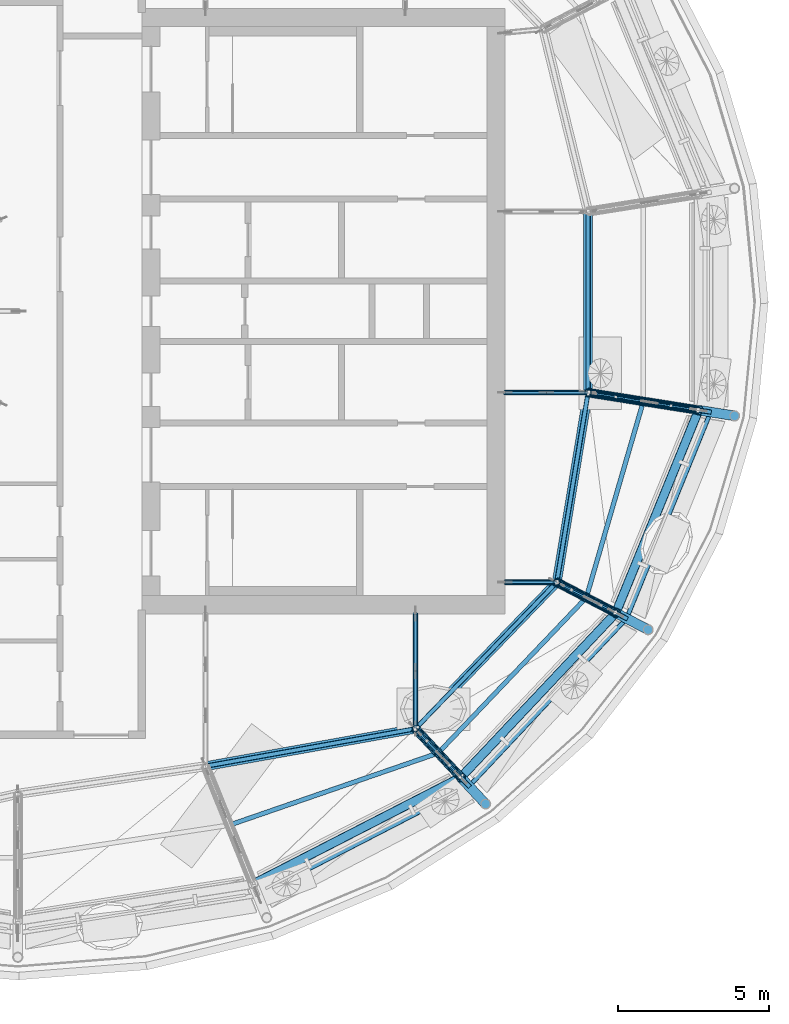
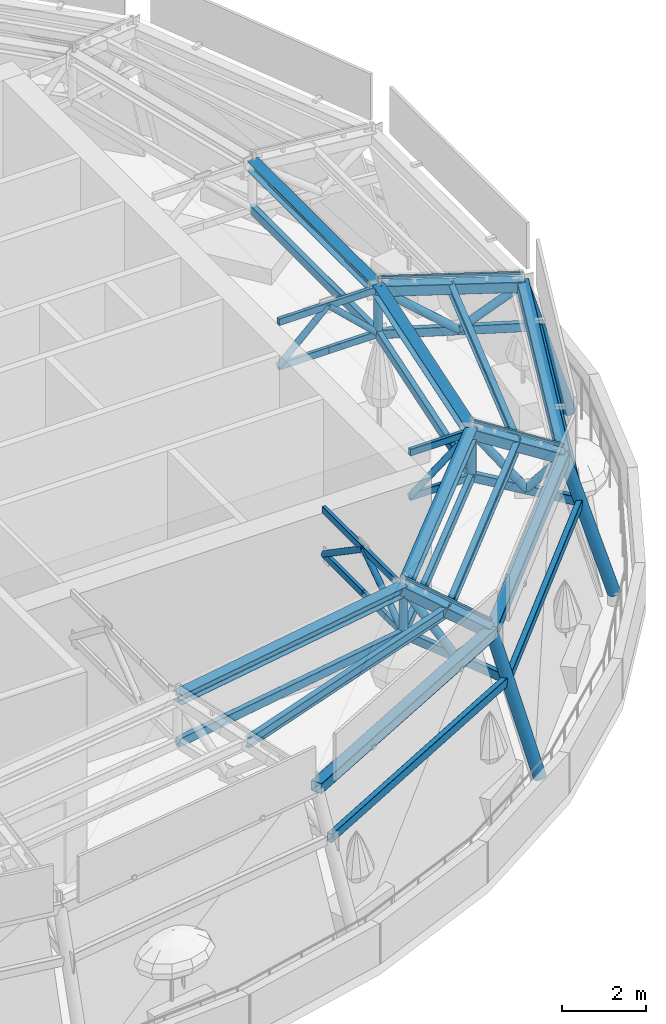
# One storey, part 10 of 40: 45 members, 14 beams, 1 element without a shape of its own.
"""IFC4 building model written with IfcOpenShell, lengths in metres."""

from ifc_helpers import new_model, si_unit, direction, frame, origin, origin_2d, place, context, subcontext, project, spatial, rectangle, hollow_rectangle, hollow_circle, i_section, extrude, material, material_profile, profile_set, type_object, element, aggregate, save


model = new_model("IFC4")

# Units and contexts
model_context = context("Model", 3, precision=1e-05, world=origin(), true_north=direction((0.0, 1.0)))
body_context = subcontext(model_context, "Body", "Model", "MODEL_VIEW")
ifc_project = project(units=[si_unit("LENGTHUNIT", "METRE"), si_unit("AREAUNIT", "SQUARE_METRE"), si_unit("VOLUMEUNIT", "CUBIC_METRE"), si_unit("PLANEANGLEUNIT", "RADIAN"), si_unit("MASSUNIT", "GRAM", prefix="KILO")], contexts=[model_context])

# Site, building, storey
site_placement = place(None, origin())
site = spatial("IfcSite", under=ifc_project, at=site_placement, CompositionType="ELEMENT")
building_placement = place(site_placement, origin())
building = spatial("IfcBuilding", under=site, at=building_placement, Name="Taillehof Tower", CompositionType="ELEMENT")
storey_placement = place(building_placement, frame((0.0, 0.0, 275.199951171875)))
storey = spatial("IfcBuildingStorey", under=building, at=storey_placement, Name="L77", CompositionType="ELEMENT", Elevation=275.199951171875)

# Beams
ifc_material_1 = material(Name="Steel S460M", Category="steel")
ifc_material_profile_1 = material_profile(ifc_material_1, i_section(OverallWidth=0.300048828125, OverallDepth=0.2900390625, WebThickness=0.008544921875, FlangeThickness=0.013916015625, FilletRadius=0.027099609375, at=origin_2d()), Name="HEA 300")
ifc_profile_set_1 = profile_set([ifc_material_profile_1], Name="Steel S460M")
beam_type_1 = type_object("IfcBeamType", Name="Canopy apex ring beam HEA 300", PredefinedType="BEAM", material=ifc_profile_set_1)
beam_1_placement = place(storey_placement, frame((6.1015625, -15.0380859375, 5.10009765625), z_axis=(0.984400807344, 0.17594047431, 0.0), x_axis=(-0.17594047431, 0.984400807344, 0.0)))
element("IfcBeam", 1, at=beam_1_placement, inside=storey, type_object=beam_type_1, Name="Canopy ring beam CR33", PredefinedType="BEAM", context=body_context, shape_type="SweptSolid", body=[
    extrude(i_section(OverallWidth=0.300048828125, OverallDepth=0.2900390625, WebThickness=0.008544921875, FlangeThickness=0.013916015625, FilletRadius=0.027099609375, at=origin_2d()), origin(), (0.0, 0.0, 1.0), 7.049072265625),
])
beam_2_placement = place(storey_placement, frame((13.040771484375, -13.7978515625, 5.10009765625), z_axis=(0.694307507305, 0.719678459661, 0.0), x_axis=(-0.719678459661, 0.694307507305, 0.0)))
element("IfcBeam", 2, at=beam_2_placement, inside=storey, type_object=beam_type_1, Name="Canopy ring beam CR34", PredefinedType="BEAM", context=body_context, shape_type="SweptSolid", body=[
    extrude(i_section(OverallWidth=0.300048828125, OverallDepth=0.2900390625, WebThickness=0.008544921875, FlangeThickness=0.013916015625, FilletRadius=0.027099609375, at=origin_2d()), origin(), (0.0, 0.0, 1.0), 6.726318359375),
])
beam_3_placement = place(storey_placement, frame((17.7109375, -8.95703125, 5.10009765625), z_axis=(0.162852676185, 0.986650396979, 0.0), x_axis=(-0.986650396979, 0.162852676185, 0.0)))
element("IfcBeam", 3, at=beam_3_placement, inside=storey, type_object=beam_type_1, Name="Canopy ring beam CR35", PredefinedType="BEAM", context=body_context, shape_type="SweptSolid", body=[
    extrude(i_section(OverallWidth=0.300048828125, OverallDepth=0.2900390625, WebThickness=0.008544921875, FlangeThickness=0.013916015625, FilletRadius=0.027099609375, at=origin_2d()), origin(), (0.0, 0.0, 1.0), 6.350341796875),
])
beam_4_placement = place(storey_placement, frame((18.7451171875, -2.69140625, 5.10009765625), z_axis=(0.0, 1.0, 0.0), x_axis=(-1.0, 0.0, 0.0)))
element("IfcBeam", 4, at=beam_4_placement, inside=storey, type_object=beam_type_1, Name="Canopy ring beam CR36", PredefinedType="BEAM", context=body_context, shape_type="SweptSolid", body=[
    extrude(i_section(OverallWidth=0.300048828125, OverallDepth=0.2900390625, WebThickness=0.008544921875, FlangeThickness=0.013916015625, FilletRadius=0.027099609375, at=origin_2d()), origin(), (0.0, 0.0, 1.0), 5.982666015625),
])

# Curtain wall, members
ifc_material_2 = material(Name="Aluminium glazing bars with clear laminated safety glass", Category="aluminium")
curtain_wall_type = type_object("IfcCurtainWallType", Name="Canopy glazing", PredefinedType="NOTDEFINED", material=ifc_material_2)
curtain_wall_placement = place(storey_placement, origin())
curtain_wall = element("IfcCurtainWall", 5, at=curtain_wall_placement, inside=storey, type_object=curtain_wall_type, Name="Canopy glazing 6", PredefinedType="NOTDEFINED")
ifc_material_3 = material(Name="Aluminium glazing bar", Category="aluminium")
ifc_material_profile_2 = material_profile(ifc_material_3, rectangle(XDim=0.06005859375, YDim=0.070068359375, at=origin_2d()), Name="AL 60x70")
ifc_profile_set_2 = profile_set([ifc_material_profile_2], Name="Aluminium glazing bar")
member_type_1 = type_object("IfcMemberType", Name="Canopy glazing bar 60x70", PredefinedType="USERDEFINED", material=ifc_profile_set_2)
member_1_placement = place(storey_placement, frame((14.541015625, -15.406982421875, 4.626220703125), z_axis=(-0.640850424693, 0.687370491329, 0.341807754186), x_axis=(-0.731424249248, -0.681922699147, 0.0)))
member_1 = element("IfcMember", 6, at=member_1_placement, type_object=member_type_1, Name="Canopy glazing bar 16", ObjectType="TRANSOM", PredefinedType="USERDEFINED", context=body_context, shape_type="SweptSolid", body=[
    extrude(rectangle(XDim=0.06005859375, YDim=0.070068359375, at=origin_2d()), origin(), (0.0, 0.0, 1.0), 2.340576171875),
])
member_2_placement = place(storey_placement, frame((19.6630859375, -9.971923828125, 4.626220703125), z_axis=(-0.833842795342, 0.433502313686, 0.341733721903), x_axis=(-0.461272377555, -0.887258583337, 0.0)))
member_2 = element("IfcMember", 7, at=member_2_placement, type_object=member_type_1, Name="Canopy glazing bar 17", ObjectType="TRANSOM", PredefinedType="USERDEFINED", context=body_context, shape_type="SweptSolid", body=[
    extrude(rectangle(XDim=0.06005859375, YDim=0.070068359375, at=origin_2d()), origin(), (0.0, 0.0, 1.0), 2.341064453125),
])
member_3_placement = place(storey_placement, frame((22.39892578125, -3.27099609375, 4.626220703125), z_axis=(-0.965316857347, 0.153253564951, 0.211368658394), x_axis=(-0.156796152949, -0.987630986968, 0.0)))
member_3 = element("IfcMember", 8, at=member_3_placement, type_object=member_type_1, Name="Canopy glazing bar 18", ObjectType="TRANSOM", PredefinedType="USERDEFINED", context=body_context, shape_type="SweptSolid", body=[
    extrude(rectangle(XDim=0.06005859375, YDim=0.070068359375, at=origin_2d()), origin(), (0.0, 0.0, 1.0), 3.78515625),
])
aggregate(curtain_wall, [member_1, member_2, member_3])

# Members
ifc_material_4 = material(Name="Steel S460M", Category="steel")
ifc_material_profile_3 = material_profile(ifc_material_4, hollow_circle(Radius=0.109619140625, WallThickness=0.012451171875, at=origin_2d()), Name="CHS 219.1x12.5")
ifc_profile_set_3 = profile_set([ifc_material_profile_3], Name="Steel S460M")
member_type_2 = type_object("IfcMemberType", Name="Canopy inner ring post CHS 219.1x12.5", PredefinedType="POST", material=ifc_profile_set_3)
for number, where, z_axis, x_axis, name in (
    (9, (13.040771484375, -13.7978515625, 3.800048828125), (0.0, 0.0, 1.0), (1.0, 0.0, 0.0), "Canopy ring post RP16"),
    (10, (17.7109375, -8.95703125, 3.800048828125), (0.0, 0.0, 1.0), (1.0, 0.0, 0.0), "Canopy ring post RP17"),
    (11, (18.7451171875, -2.69140625, 3.800048828125), (0.0, 0.0, 1.0), (1.0, 0.0, 0.0), "Canopy ring post RP18"),
):
    element("IfcMember", number, at=place(storey_placement, frame(where, z_axis=z_axis, x_axis=x_axis)), inside=storey, type_object=member_type_2, Name=name, PredefinedType="POST", context=body_context, shape_type="SweptSolid", body=[
        extrude(hollow_circle(Radius=0.109619140625, WallThickness=0.012451171875, at=origin_2d()), origin(), (0.0, 0.0, 1.0), 1.300048828125),
    ])

# Beams
ifc_material_5 = material(Name="Steel S460M", Category="steel")
ifc_material_profile_4 = material_profile(ifc_material_5, hollow_rectangle(XDim=0.14990234375, YDim=0.25, WallThickness=0.010009765625, InnerFilletRadius=0.010009765625, OuterFilletRadius=0.014892578125, at=origin_2d()), Name="RHS 250x150x10")
ifc_profile_set_4 = profile_set([ifc_material_profile_4], Name="Steel S460M")
beam_type_2 = type_object("IfcBeamType", Name="Canopy lower ring beam RHS 250x150x10", PredefinedType="BEAM", material=ifc_profile_set_4)
beam_5_placement = place(storey_placement, frame((7.82568359375, -19.302734375, 3.0), z_axis=(0.888805934335, 0.458283766995, 0.0), x_axis=(-0.458283766995, 0.888805934335, 0.0)))
element("IfcBeam", 12, at=beam_5_placement, inside=storey, type_object=beam_type_2, Name="Canopy lower ring beam CB15", PredefinedType="BEAM", context=body_context, shape_type="SweptSolid", body=[
    extrude(hollow_rectangle(XDim=0.14990234375, YDim=0.25, WallThickness=0.010009765625, InnerFilletRadius=0.010009765625, OuterFilletRadius=0.014892578125, at=origin_2d()), origin(), (0.0, 0.0, 1.0), 7.862060546875),
])
beam_6_placement = place(storey_placement, frame((14.8134765625, -15.69970703125, 3.0), z_axis=(0.684456805755, 0.729053414405, 0.0), x_axis=(-0.729053414405, 0.684456805755, 0.0)))
element("IfcBeam", 13, at=beam_6_placement, inside=storey, type_object=beam_type_2, Name="Canopy lower ring beam CB16", PredefinedType="BEAM", context=body_context, shape_type="SweptSolid", body=[
    extrude(hollow_rectangle(XDim=0.14990234375, YDim=0.25, WallThickness=0.010009765625, InnerFilletRadius=0.010009765625, OuterFilletRadius=0.014892578125, at=origin_2d()), origin(), (0.0, 0.0, 1.0), 7.60400390625),
])
beam_7_placement = place(storey_placement, frame((20.01806640625, -10.156005859375, 3.0), z_axis=(0.376950452726, 0.926233424246, 0.0), x_axis=(-0.926233424246, 0.376950452726, 0.0)))
element("IfcBeam", 14, at=beam_7_placement, inside=storey, type_object=beam_type_2, Name="Canopy lower ring beam CB17", PredefinedType="BEAM", context=body_context, shape_type="SweptSolid", body=[
    extrude(hollow_rectangle(XDim=0.14990234375, YDim=0.25, WallThickness=0.010009765625, InnerFilletRadius=0.010009765625, OuterFilletRadius=0.014892578125, at=origin_2d()), origin(), (0.0, 0.0, 1.0), 7.365234375),
])
beam_8_placement = place(storey_placement, frame((6.1015625, -15.0380859375, 3.800048828125), z_axis=(0.984400807344, 0.17594047431, 0.0), x_axis=(-0.17594047431, 0.984400807344, 0.0)))
element("IfcBeam", 15, at=beam_8_placement, inside=storey, type_object=beam_type_2, Name="Canopy lower ring beam CB33", PredefinedType="BEAM", context=body_context, shape_type="SweptSolid", body=[
    extrude(hollow_rectangle(XDim=0.14990234375, YDim=0.25, WallThickness=0.010009765625, InnerFilletRadius=0.010009765625, OuterFilletRadius=0.014892578125, at=origin_2d()), origin(), (0.0, 0.0, 1.0), 7.049072265625),
])
beam_9_placement = place(storey_placement, frame((13.040771484375, -13.7978515625, 3.800048828125), z_axis=(0.694307507305, 0.719678459661, 0.0), x_axis=(-0.719678459661, 0.694307507305, 0.0)))
element("IfcBeam", 16, at=beam_9_placement, inside=storey, type_object=beam_type_2, Name="Canopy lower ring beam CB34", PredefinedType="BEAM", context=body_context, shape_type="SweptSolid", body=[
    extrude(hollow_rectangle(XDim=0.14990234375, YDim=0.25, WallThickness=0.010009765625, InnerFilletRadius=0.010009765625, OuterFilletRadius=0.014892578125, at=origin_2d()), origin(), (0.0, 0.0, 1.0), 6.726318359375),
])
beam_10_placement = place(storey_placement, frame((17.7109375, -8.95703125, 3.800048828125), z_axis=(0.162852676185, 0.986650396979, 0.0), x_axis=(-0.986650396979, 0.162852676185, 0.0)))
element("IfcBeam", 17, at=beam_10_placement, inside=storey, type_object=beam_type_2, Name="Canopy lower ring beam CB35", PredefinedType="BEAM", context=body_context, shape_type="SweptSolid", body=[
    extrude(hollow_rectangle(XDim=0.14990234375, YDim=0.25, WallThickness=0.010009765625, InnerFilletRadius=0.010009765625, OuterFilletRadius=0.014892578125, at=origin_2d()), origin(), (0.0, 0.0, 1.0), 6.350341796875),
])
beam_11_placement = place(storey_placement, frame((18.7451171875, -2.69140625, 3.800048828125), z_axis=(0.0, 1.0, 0.0), x_axis=(-1.0, 0.0, 0.0)))
element("IfcBeam", 18, at=beam_11_placement, inside=storey, type_object=beam_type_2, Name="Canopy lower ring beam CB36", PredefinedType="BEAM", context=body_context, shape_type="SweptSolid", body=[
    extrude(hollow_rectangle(XDim=0.14990234375, YDim=0.25, WallThickness=0.010009765625, InnerFilletRadius=0.010009765625, OuterFilletRadius=0.014892578125, at=origin_2d()), origin(), (0.0, 0.0, 1.0), 5.982666015625),
])

# Members
ifc_material_6 = material(Name="Steel S460M", Category="steel")
ifc_material_profile_5 = material_profile(ifc_material_6, i_section(OverallWidth=0.14990234375, OverallDepth=0.300048828125, WebThickness=0.007080078125, FlangeThickness=0.0107421875, FilletRadius=0.014892578125, at=origin_2d()), Name="IPE 300")
ifc_profile_set_5 = profile_set([ifc_material_profile_5], Name="Steel S460M")
member_type_3 = type_object("IfcMemberType", Name="Canopy purlin IPE 300", PredefinedType="PURLIN", material=ifc_profile_set_5)
member_4_placement = place(storey_placement, frame((6.888427734375, -16.985107421875, 4.699951171875), z_axis=(0.945273097857, 0.326280202383, 0.0), x_axis=(-0.326280202383, 0.945273097857, 0.0)))
element("IfcMember", 19, at=member_4_placement, inside=storey, type_object=member_type_3, Name="Canopy purlin CP15", PredefinedType="PURLIN", context=body_context, shape_type="SweptSolid", body=[
    extrude(i_section(OverallWidth=0.14990234375, OverallDepth=0.300048828125, WebThickness=0.007080078125, FlangeThickness=0.0107421875, FilletRadius=0.014892578125, at=origin_2d()), origin(), (0.0, 0.0, 1.0), 7.30224609375),
])
member_5_placement = place(storey_placement, frame((13.791015625, -14.6025390625, 4.699951171875), z_axis=(0.689856146136, 0.723946474291, 0.0), x_axis=(-0.723946474291, 0.689856146136, 0.0)))
element("IfcMember", 20, at=member_5_placement, inside=storey, type_object=member_type_3, Name="Canopy purlin CP16", PredefinedType="PURLIN", context=body_context, shape_type="SweptSolid", body=[
    extrude(i_section(OverallWidth=0.14990234375, OverallDepth=0.300048828125, WebThickness=0.007080078125, FlangeThickness=0.0107421875, FilletRadius=0.014892578125, at=origin_2d()), origin(), (0.0, 0.0, 1.0), 7.09716796875),
])
member_6_placement = place(storey_placement, frame((18.68701171875, -9.464599609375, 4.699951171875), z_axis=(0.279173764711, 0.960240599588, 0.0), x_axis=(-0.960240599588, 0.279173764711, 0.0)))
element("IfcMember", 21, at=member_6_placement, inside=storey, type_object=member_type_3, Name="Canopy purlin CP17", PredefinedType="PURLIN", context=body_context, shape_type="SweptSolid", body=[
    extrude(i_section(OverallWidth=0.14990234375, OverallDepth=0.300048828125, WebThickness=0.007080078125, FlangeThickness=0.0107421875, FilletRadius=0.014892578125, at=origin_2d()), origin(), (0.0, 0.0, 1.0), 6.752197265625),
])
ifc_material_7 = material(Name="Steel S460M", Category="steel")
ifc_material_profile_6 = material_profile(ifc_material_7, hollow_rectangle(XDim=0.300048828125, YDim=0.300048828125, WallThickness=0.012451171875, InnerFilletRadius=0.012451171875, OuterFilletRadius=0.018798828125, at=origin_2d()), Name="RHS 300x300x12.5")
ifc_profile_set_6 = profile_set([ifc_material_profile_6], Name="Steel S460M")
member_type_4 = type_object("IfcMemberType", Name="Canopy rafter RHS 300x300x12.5", PredefinedType="RAFTER", material=ifc_profile_set_6)
member_7_placement = place(storey_placement, frame((14.540771484375, -15.406982421875, 4.300048828125), z_axis=(-0.640873270211, 0.687394995229, 0.341715630405), x_axis=(-0.731424249248, -0.681922699147, 0.0)))
element("IfcMember", 22, at=member_7_placement, inside=storey, type_object=member_type_4, Name="Canopy rafter 16 top chord 1", PredefinedType="RAFTER", context=body_context, shape_type="SweptSolid", body=[
    extrude(hollow_rectangle(XDim=0.300048828125, YDim=0.300048828125, WallThickness=0.012451171875, InnerFilletRadius=0.012451171875, OuterFilletRadius=0.018798828125, at=origin_2d()), origin(), (0.0, 0.0, 1.0), 1.170166015625),
])
for number, where, z_axis, x_axis, name in (
    (23, (13.790771484375, -14.6025390625, 4.699951171875), (-0.640735697169, 0.687456008421, 0.341850848848), (-0.731527448955, -0.681811991259, 0.0), "Canopy rafter 16 top chord 2"),
    (24, (19.6630859375, -9.9716796875, 4.300048828125), (-0.833910205254, 0.433433068164, 0.34165705758), (-0.461185017845, -0.887303994872, 0.0), "Canopy rafter 17 top chord 1"),
):
    element("IfcMember", number, at=place(storey_placement, frame(where, z_axis=z_axis, x_axis=x_axis)), inside=storey, type_object=member_type_4, Name=name, PredefinedType="RAFTER", context=body_context, shape_type="SweptSolid", body=[
        extrude(hollow_rectangle(XDim=0.300048828125, YDim=0.300048828125, WallThickness=0.012451171875, InnerFilletRadius=0.012451171875, OuterFilletRadius=0.018798828125, at=origin_2d()), origin(), (0.0, 0.0, 1.0), 1.17041015625),
    ])
member_8_placement = place(storey_placement, frame((18.68701171875, -9.46435546875, 4.699951171875), z_axis=(-0.833850766145, 0.433402174099, 0.341841272064), x_axis=(-0.461185017845, -0.887303994872, 0.0)))
element("IfcMember", 25, at=member_8_placement, inside=storey, type_object=member_type_4, Name="Canopy rafter 17 top chord 2", PredefinedType="RAFTER", context=body_context, shape_type="SweptSolid", body=[
    extrude(hollow_rectangle(XDim=0.300048828125, YDim=0.300048828125, WallThickness=0.012451171875, InnerFilletRadius=0.012451171875, OuterFilletRadius=0.018798828125, at=origin_2d()), origin(), (0.0, 0.0, 1.0), 1.170654296875),
])
for number, where, z_axis, x_axis, name in (
    (26, (22.3994140625, -3.271240234375, 4.300048828125), (-0.965357877506, 0.15311060938, 0.211284901571), (-0.156646990537, -0.987654656424, 0.0), "Canopy rafter 18 top chord 1"),
    (27, (20.572265625, -2.9814453125, 4.699951171875), (-0.96531248972, 0.153232394146, 0.211403951183), (-0.156775717077, -0.987634231148, 0.0), "Canopy rafter 18 top chord 2"),
):
    element("IfcMember", number, at=place(storey_placement, frame(where, z_axis=z_axis, x_axis=x_axis)), inside=storey, type_object=member_type_4, Name=name, PredefinedType="RAFTER", context=body_context, shape_type="SweptSolid", body=[
        extrude(hollow_rectangle(XDim=0.300048828125, YDim=0.300048828125, WallThickness=0.012451171875, InnerFilletRadius=0.012451171875, OuterFilletRadius=0.018798828125, at=origin_2d()), origin(), (0.0, 0.0, 1.0), 1.892822265625),
    ])
ifc_material_8 = material(Name="Steel S460M", Category="steel")
ifc_material_profile_7 = material_profile(ifc_material_8, hollow_rectangle(XDim=0.14990234375, YDim=0.25, WallThickness=0.010009765625, InnerFilletRadius=0.010009765625, OuterFilletRadius=0.014892578125, at=origin_2d()), Name="RHS 250x150x10")
ifc_profile_set_7 = profile_set([ifc_material_profile_7], Name="Steel S460M")
member_type_5 = type_object("IfcMemberType", Name="Canopy rafter bottom chord RHS 250x150x10", PredefinedType="CHORD", material=ifc_profile_set_7)
for number, where, z_axis, x_axis, name in (
    (28, (14.8134765625, -15.69970703125, 3.0), (-0.651607427188, 0.699176564435, 0.294210626215), (-0.731554733036, -0.68178271654, 0.0), "Canopy rafter 16 bottom chord 1"),
    (29, (13.92724609375, -14.748779296875, 3.400146484375), (-0.651745101044, 0.6991316906, 0.294012248832), (-0.7314610613, -0.681883212729, 0.0), "Canopy rafter 16 bottom chord 2"),
    (30, (20.01806640625, -10.156005859375, 3.0), (-0.848102132604, 0.440654123925, 0.294188231818), (-0.46105705095, -0.88737049521, 0.0), "Canopy rafter 17 bottom chord 1"),
    (31, (18.864501953125, -9.556640625, 3.400146484375), (-0.848079809954, 0.440822013386, 0.294001000784), (-0.461204913003, -0.887293653884, 0.0), "Canopy rafter 17 bottom chord 2"),
):
    element("IfcMember", number, at=place(storey_placement, frame(where, z_axis=z_axis, x_axis=x_axis)), inside=storey, type_object=member_type_5, Name=name, PredefinedType="CHORD", context=body_context, shape_type="SweptSolid", body=[
        extrude(hollow_rectangle(XDim=0.14990234375, YDim=0.25, WallThickness=0.010009765625, InnerFilletRadius=0.010009765625, OuterFilletRadius=0.014892578125, at=origin_2d()), origin(), (0.0, 0.0, 1.0), 1.360107421875),
    ])
for number, where, z_axis, x_axis, name in (
    (32, (22.79443359375, -3.333984375, 3.0), (-0.969348139201, 0.153823966139, 0.1915786326), (-0.156726977954, -0.987641966697, 0.0), "Canopy rafter 18 bottom chord 1"),
    (33, (20.769775390625, -3.0126953125, 3.400146484375), (-0.969369840066, 0.153827409807, 0.191466031355), (-0.156726977954, -0.987641966697, 0.0), "Canopy rafter 18 bottom chord 2"),
):
    element("IfcMember", number, at=place(storey_placement, frame(where, z_axis=z_axis, x_axis=x_axis)), inside=storey, type_object=member_type_5, Name=name, PredefinedType="CHORD", context=body_context, shape_type="SweptSolid", body=[
        extrude(hollow_rectangle(XDim=0.14990234375, YDim=0.25, WallThickness=0.010009765625, InnerFilletRadius=0.010009765625, OuterFilletRadius=0.014892578125, at=origin_2d()), origin(), (0.0, 0.0, 1.0), 2.088623046875),
    ])
ifc_material_9 = material(Name="Steel S460M", Category="steel")
ifc_material_profile_8 = material_profile(ifc_material_9, hollow_circle(Radius=0.109619140625, WallThickness=0.012451171875, at=origin_2d()), Name="CHS 219.1x12.5")
ifc_profile_set_8 = profile_set([ifc_material_profile_8], Name="Steel S460M")
member_type_6 = type_object("IfcMemberType", Name="Canopy rafter diagonal CHS 219.1x12.5", PredefinedType="BRACE", material=ifc_profile_set_8)
member_9_placement = place(storey_placement, frame((14.540771484375, -15.406982421875, 4.300048828125), z_axis=(-0.482110092167, 0.517217989846, -0.707145960895), x_axis=(-0.731497229335, -0.681844412953, 0.0)))
element("IfcMember", 34, at=member_9_placement, inside=storey, type_object=member_type_6, Name="Canopy rafter 16 diagonal 1", PredefinedType="BRACE", context=body_context, shape_type="SweptSolid", body=[
    extrude(hollow_circle(Radius=0.109619140625, WallThickness=0.012451171875, at=origin_2d()), origin(), (0.0, 0.0, 1.0), 1.272705078125),
])
member_10_placement = place(storey_placement, frame((13.92724609375, -14.748779296875, 3.400146484375), z_axis=(-0.414225331692, 0.444342513616, 0.79434067325), x_axis=(-0.7314610613, -0.681883212729, 0.0)))
element("IfcMember", 35, at=member_10_placement, inside=storey, type_object=member_type_6, Name="Canopy rafter 16 diagonal 2", PredefinedType="BRACE", context=body_context, shape_type="SweptSolid", body=[
    extrude(hollow_circle(Radius=0.109619140625, WallThickness=0.012451171875, at=origin_2d()), origin(), (0.0, 0.0, 1.0), 2.14013671875),
])
member_11_placement = place(storey_placement, frame((19.6630859375, -9.9716796875, 4.300048828125), z_axis=(-0.62746207527, 0.326103799437, -0.707069767485), x_axis=(-0.461156277815, -0.887318932195, 0.0)))
element("IfcMember", 36, at=member_11_placement, inside=storey, type_object=member_type_6, Name="Canopy rafter 17 diagonal 1", PredefinedType="BRACE", context=body_context, shape_type="SweptSolid", body=[
    extrude(hollow_circle(Radius=0.109619140625, WallThickness=0.012451171875, at=origin_2d()), origin(), (0.0, 0.0, 1.0), 1.272705078125),
])
member_12_placement = place(storey_placement, frame((18.864501953125, -9.556640625, 3.400146484375), z_axis=(-0.53902077808, 0.28017672613, 0.794328397411), x_axis=(-0.461204913003, -0.887293653884, 0.0)))
element("IfcMember", 37, at=member_12_placement, inside=storey, type_object=member_type_6, Name="Canopy rafter 17 diagonal 2", PredefinedType="BRACE", context=body_context, shape_type="SweptSolid", body=[
    extrude(hollow_circle(Radius=0.109619140625, WallThickness=0.012451171875, at=origin_2d()), origin(), (0.0, 0.0, 1.0), 2.14013671875),
])
member_13_placement = place(storey_placement, frame((22.3994140625, -3.271240234375, 4.300048828125), z_axis=(-0.867075433284, 0.137562978854, -0.478807497691), x_axis=(-0.156691944488, -0.987647525453, 0.0)))
element("IfcMember", 38, at=member_13_placement, inside=storey, type_object=member_type_6, Name="Canopy rafter 18 diagonal 1", PredefinedType="BRACE", context=body_context, shape_type="SweptSolid", body=[
    extrude(hollow_circle(Radius=0.109619140625, WallThickness=0.012451171875, at=origin_2d()), origin(), (0.0, 0.0, 1.0), 1.87939453125),
])
member_14_placement = place(storey_placement, frame((20.769775390625, -3.0126953125, 3.400146484375), z_axis=(-0.760252965748, 0.120643060765, 0.638326468166), x_axis=(-0.156726977954, -0.987641966697, 0.0)))
element("IfcMember", 39, at=member_14_placement, inside=storey, type_object=member_type_6, Name="Canopy rafter 18 diagonal 2", PredefinedType="BRACE", context=body_context, shape_type="SweptSolid", body=[
    extrude(hollow_circle(Radius=0.109619140625, WallThickness=0.012451171875, at=origin_2d()), origin(), (0.0, 0.0, 1.0), 2.6630859375),
])
ifc_material_10 = material(Name="Steel S460M", Category="steel")
ifc_material_profile_9 = material_profile(ifc_material_10, hollow_circle(Radius=0.161865234375, WallThickness=0.01611328125, at=origin_2d()), Name="CHS 323.9x16")
ifc_profile_set_9 = profile_set([ifc_material_profile_9], Name="Steel S460M")
member_type_7 = type_object("IfcMemberType", Name="Canopy raking column CHS 323.9x16", PredefinedType="POST", material=ifc_profile_set_9)
member_15_placement = place(storey_placement, frame((15.359130859375, -16.284912109375, 0.300048828125), z_axis=(-0.195958874927, 0.210223184439, 0.95781330752), x_axis=(-0.731488046885, -0.681854263948, 0.0)))
element("IfcMember", 40, at=member_15_placement, inside=storey, type_object=member_type_7, Name="Canopy raking column CC16", PredefinedType="POST", context=body_context, shape_type="SweptSolid", body=[
    extrude(hollow_circle(Radius=0.161865234375, WallThickness=0.01611328125, at=origin_2d()), origin(), (0.0, 0.0, 1.0), 4.17626953125),
])
member_16_placement = place(storey_placement, frame((20.72802734375, -10.52490234375, 0.300048828125), z_axis=(-0.255006080886, 0.132472209832, 0.957822014955), x_axis=(-0.460993989424, -0.887403257665, 0.0)))
element("IfcMember", 41, at=member_16_placement, inside=storey, type_object=member_type_7, Name="Canopy raking column CC17", PredefinedType="POST", context=body_context, shape_type="SweptSolid", body=[
    extrude(hollow_circle(Radius=0.161865234375, WallThickness=0.01611328125, at=origin_2d()), origin(), (0.0, 0.0, 1.0), 4.176025390625),
])
member_17_placement = place(storey_placement, frame((23.584716796875, -3.45947265625, 0.300048828125), z_axis=(-0.2838254853, 0.045073007037, 0.957816014656), x_axis=(-0.156839984557, -0.987624027272, 0.0)))
element("IfcMember", 42, at=member_17_placement, inside=storey, type_object=member_type_7, Name="Canopy raking column CC18", PredefinedType="POST", context=body_context, shape_type="SweptSolid", body=[
    extrude(hollow_circle(Radius=0.161865234375, WallThickness=0.01611328125, at=origin_2d()), origin(), (0.0, 0.0, 1.0), 4.17626953125),
])

# Beams
ifc_material_11 = material(Name="Steel S460M", Category="steel")
ifc_material_profile_10 = material_profile(ifc_material_11, hollow_rectangle(XDim=0.300048828125, YDim=0.300048828125, WallThickness=0.012451171875, InnerFilletRadius=0.012451171875, OuterFilletRadius=0.018798828125, at=origin_2d()), Name="RHS 300x300x12.5")
ifc_profile_set_10 = profile_set([ifc_material_profile_10], Name="Steel S460M")
beam_type_3 = type_object("IfcBeamType", Name="Canopy ring beam RHS 300x300x12.5", PredefinedType="BEAM", material=ifc_profile_set_10)
beam_12_placement = place(storey_placement, frame((7.67578125, -18.931884765625, 4.300048828125), z_axis=(0.889586127261, 0.456767470585, 0.0), x_axis=(-0.456767470585, 0.889586127261, 0.0)))
element("IfcBeam", 43, at=beam_12_placement, inside=storey, type_object=beam_type_3, Name="Canopy ring beam CR15", PredefinedType="BEAM", context=body_context, shape_type="SweptSolid", body=[
    extrude(hollow_rectangle(XDim=0.300048828125, YDim=0.300048828125, WallThickness=0.012451171875, InnerFilletRadius=0.012451171875, OuterFilletRadius=0.018798828125, at=origin_2d()), origin(), (0.0, 0.0, 1.0), 7.717041015625),
])
beam_13_placement = place(storey_placement, frame((14.540771484375, -15.406982421875, 4.300048828125), z_axis=(0.685842766709, 0.7277497505, 0.0), x_axis=(-0.7277497505, 0.685842766709, 0.0)))
element("IfcBeam", 44, at=beam_13_placement, inside=storey, type_object=beam_type_3, Name="Canopy ring beam CR16", PredefinedType="BEAM", context=body_context, shape_type="SweptSolid", body=[
    extrude(hollow_rectangle(XDim=0.300048828125, YDim=0.300048828125, WallThickness=0.012451171875, InnerFilletRadius=0.012451171875, OuterFilletRadius=0.018798828125, at=origin_2d()), origin(), (0.0, 0.0, 1.0), 7.46875),
])
beam_14_placement = place(storey_placement, frame((19.6630859375, -9.9716796875, 4.300048828125), z_axis=(0.378069300339, 0.92577729727, 0.0), x_axis=(-0.92577729727, 0.378069300339, 0.0)))
element("IfcBeam", 45, at=beam_14_placement, inside=storey, type_object=beam_type_3, Name="Canopy ring beam CR17", PredefinedType="BEAM", context=body_context, shape_type="SweptSolid", body=[
    extrude(hollow_rectangle(XDim=0.300048828125, YDim=0.300048828125, WallThickness=0.012451171875, InnerFilletRadius=0.012451171875, OuterFilletRadius=0.018798828125, at=origin_2d()), origin(), (0.0, 0.0, 1.0), 7.237548828125),
])

# Members
ifc_material_12 = material(Name="Steel S460M", Category="steel")
ifc_material_profile_11 = material_profile(ifc_material_12, hollow_rectangle(XDim=0.10009765625, YDim=0.199951171875, WallThickness=0.008056640625, InnerFilletRadius=0.008056640625, OuterFilletRadius=0.011962890625, at=origin_2d()), Name="RHS 200x100x8")
ifc_profile_set_11 = profile_set([ifc_material_profile_11], Name="Steel S460M")
member_type_8 = type_object("IfcMemberType", Name="Canopy spur chord RHS 200x100x8", PredefinedType="CHORD", material=ifc_profile_set_11)
for number, where, z_axis, x_axis, name in (
    (46, (13.040771484375, -13.7978515625, 5.10009765625), (0.0, 1.0, 0.0), (-1.0, 0.0, 0.0), "Canopy rafter S16 top chord 1"),
    (47, (13.040771484375, -13.7978515625, 3.800048828125), (0.0, 1.0, 0.0), (-1.0, 0.0, 0.0), "Canopy rafter S16 bottom chord 1"),
    (48, (13.040771484375, -11.89892578125, 5.10009765625), (0.0, 1.0, 0.0), (-1.0, 0.0, 0.0), "Canopy rafter S16 top chord 2"),
    (49, (13.040771484375, -11.89892578125, 3.800048828125), (0.0, 1.0, 0.0), (-1.0, 0.0, 0.0), "Canopy rafter S16 bottom chord 2"),
):
    element("IfcMember", number, at=place(storey_placement, frame(where, z_axis=z_axis, x_axis=x_axis)), inside=storey, type_object=member_type_8, Name=name, PredefinedType="CHORD", context=body_context, shape_type="SweptSolid", body=[
        extrude(hollow_rectangle(XDim=0.10009765625, YDim=0.199951171875, WallThickness=0.008056640625, InnerFilletRadius=0.008056640625, OuterFilletRadius=0.011962890625, at=origin_2d()), origin(), (0.0, 0.0, 1.0), 1.89892578125),
    ])
for number, where, z_axis, x_axis, name in (
    (50, (17.7109375, -8.95703125, 5.10009765625), (-1.0, 0.0, 0.0), (0.0, -1.0, 0.0), "Canopy rafter S17 top chord 1"),
    (51, (17.7109375, -8.95703125, 3.800048828125), (-1.0, 0.0, 0.0), (0.0, -1.0, 0.0), "Canopy rafter S17 bottom chord 1"),
):
    element("IfcMember", number, at=place(storey_placement, frame(where, z_axis=z_axis, x_axis=x_axis)), inside=storey, type_object=member_type_8, Name=name, PredefinedType="CHORD", context=body_context, shape_type="SweptSolid", body=[
        extrude(hollow_rectangle(XDim=0.10009765625, YDim=0.199951171875, WallThickness=0.008056640625, InnerFilletRadius=0.008056640625, OuterFilletRadius=0.011962890625, at=origin_2d()), origin(), (0.0, 0.0, 1.0), 1.7109375),
    ])
for number, where, z_axis, x_axis, name in (
    (52, (18.7451171875, -2.69140625, 5.10009765625), (-1.0, 0.0, 0.0), (0.0, -1.0, 0.0), "Canopy rafter S18 top chord 1"),
    (53, (18.7451171875, -2.69140625, 3.800048828125), (-1.0, 0.0, 0.0), (0.0, -1.0, 0.0), "Canopy rafter S18 bottom chord 1"),
    (54, (17.37255859375, -2.69140625, 5.10009765625), (-1.0, 0.0, 0.0), (0.0, -1.0, 0.0), "Canopy rafter S18 top chord 2"),
    (55, (17.37255859375, -2.69140625, 3.800048828125), (-1.0, 0.0, 0.0), (0.0, -1.0, 0.0), "Canopy rafter S18 bottom chord 2"),
):
    element("IfcMember", number, at=place(storey_placement, frame(where, z_axis=z_axis, x_axis=x_axis)), inside=storey, type_object=member_type_8, Name=name, PredefinedType="CHORD", context=body_context, shape_type="SweptSolid", body=[
        extrude(hollow_rectangle(XDim=0.10009765625, YDim=0.199951171875, WallThickness=0.008056640625, InnerFilletRadius=0.008056640625, OuterFilletRadius=0.011962890625, at=origin_2d()), origin(), (0.0, 0.0, 1.0), 1.37255859375),
    ])
ifc_material_13 = material(Name="Steel S460M", Category="steel")
ifc_material_profile_12 = material_profile(ifc_material_13, hollow_circle(Radius=0.084228515625, WallThickness=0.008056640625, at=origin_2d()), Name="CHS 168.3x8")
ifc_profile_set_12 = profile_set([ifc_material_profile_12], Name="Steel S460M")
member_type_9 = type_object("IfcMemberType", Name="Canopy spur diagonal CHS 168.3x8", PredefinedType="BRACE", material=ifc_profile_set_12)
for number, where, z_axis, x_axis, name in (
    (56, (13.040771484375, -13.7978515625, 3.800048828125), (0.0, 0.825148497739, 0.564915884605), (-1.0, 0.0, 0.0), "Canopy rafter S16 diagonal 1"),
    (57, (13.040771484375, -11.89892578125, 5.10009765625), (0.0, 0.825148497739, -0.564915884605), (-1.0, 0.0, 0.0), "Canopy rafter S16 diagonal 2"),
):
    element("IfcMember", number, at=place(storey_placement, frame(where, z_axis=z_axis, x_axis=x_axis)), inside=storey, type_object=member_type_9, Name=name, PredefinedType="BRACE", context=body_context, shape_type="SweptSolid", body=[
        extrude(hollow_circle(Radius=0.084228515625, WallThickness=0.008056640625, at=origin_2d()), origin(), (0.0, 0.0, 1.0), 2.30126953125),
    ])
member_18_placement = place(storey_placement, frame((17.7109375, -8.95703125, 5.10009765625), z_axis=(-0.796221302936, 0.0, -0.605005484893), x_axis=(0.0, -1.0, 0.0)))
element("IfcMember", 58, at=member_18_placement, inside=storey, type_object=member_type_9, Name="Canopy rafter S17 diagonal 1", PredefinedType="BRACE", context=body_context, shape_type="SweptSolid", body=[
    extrude(hollow_circle(Radius=0.084228515625, WallThickness=0.008056640625, at=origin_2d()), origin(), (0.0, 0.0, 1.0), 2.14892578125),
])
for number, where, z_axis, x_axis, name in (
    (59, (18.7451171875, -2.69140625, 3.800048828125), (-0.726023942554, 0.0, 0.687669422643), (0.0, -1.0, 0.0), "Canopy rafter S18 diagonal 1"),
    (60, (17.37255859375, -2.69140625, 5.10009765625), (-0.726023942554, 0.0, -0.687669422643), (0.0, -1.0, 0.0), "Canopy rafter S18 diagonal 2"),
):
    element("IfcMember", number, at=place(storey_placement, frame(where, z_axis=z_axis, x_axis=x_axis)), inside=storey, type_object=member_type_9, Name=name, PredefinedType="BRACE", context=body_context, shape_type="SweptSolid", body=[
        extrude(hollow_circle(Radius=0.084228515625, WallThickness=0.008056640625, at=origin_2d()), origin(), (0.0, 0.0, 1.0), 1.890625),
    ])

save(model, "model.ifc")
